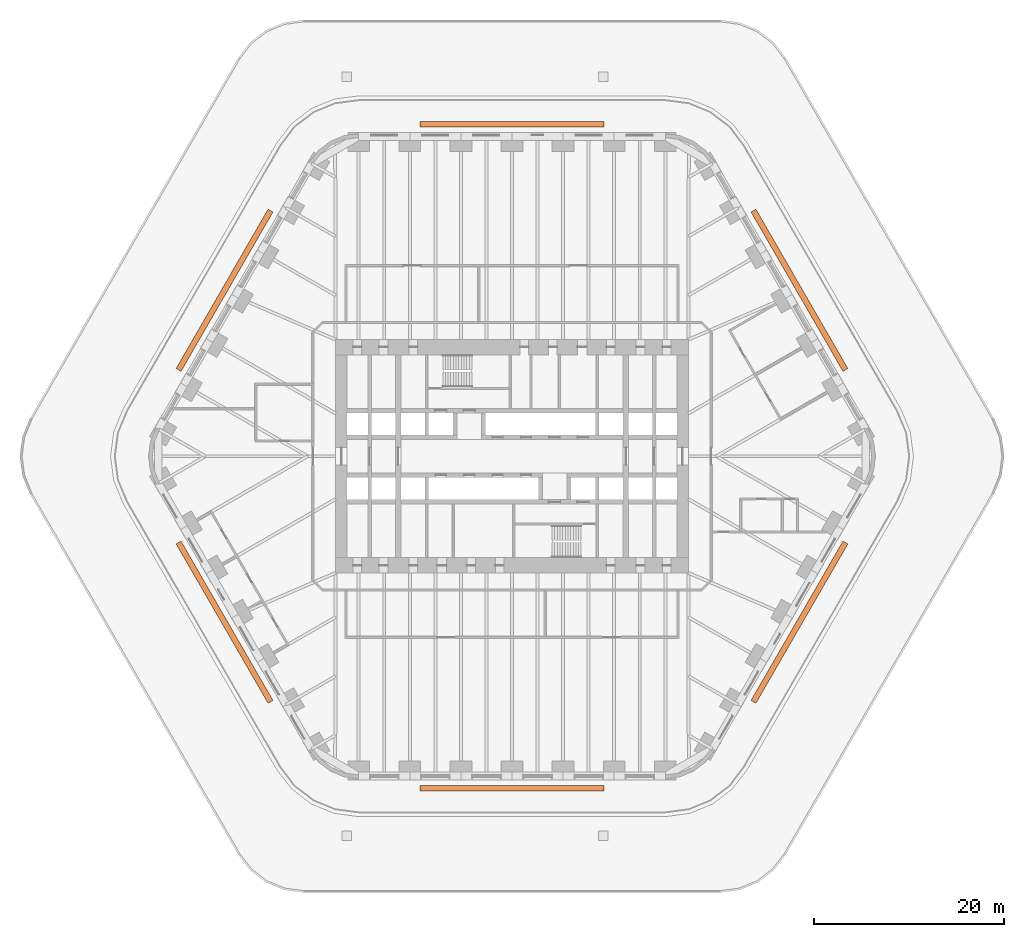
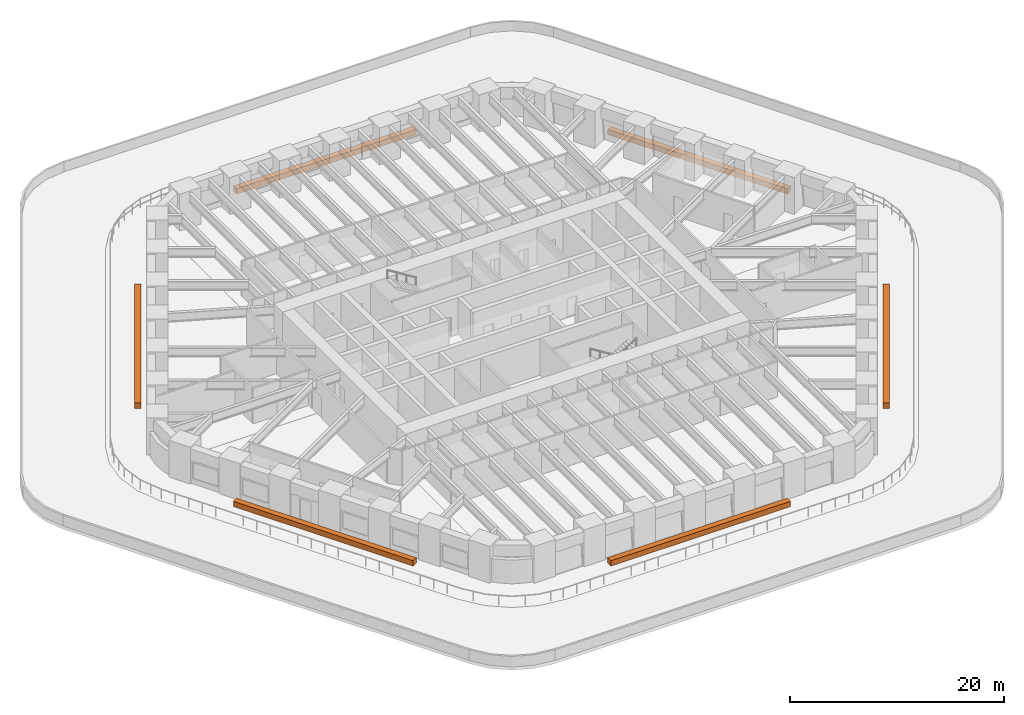
# One storey, part 17 of 17: 6 proxies.
"""IFC4 building model written with IfcOpenShell, lengths in metres."""

from ifc_helpers import new_model, si_unit, direction, frame, origin, origin_2d, place, context, subcontext, project, spatial, rectangle, extrude, material, element, save


model = new_model("IFC4")

# Units and contexts
model_context = context("Model", 3, precision=1e-05, world=origin(), true_north=direction((0.0, 1.0)))
body_context = subcontext(model_context, "Body", "Model", "MODEL_VIEW")
ifc_project = project(units=[si_unit("LENGTHUNIT", "METRE"), si_unit("AREAUNIT", "SQUARE_METRE"), si_unit("VOLUMEUNIT", "CUBIC_METRE"), si_unit("PLANEANGLEUNIT", "RADIAN"), si_unit("MASSUNIT", "GRAM", prefix="KILO")], contexts=[model_context])

# Site, building, storey
site_placement = place(None, origin())
site = spatial("IfcSite", under=ifc_project, at=site_placement, CompositionType="ELEMENT")
building_placement = place(site_placement, origin())
building = spatial("IfcBuilding", under=site, at=building_placement, Name="Tarfa Lantern Tower", CompositionType="ELEMENT")
storey_placement = place(building_placement, frame((0.0, 0.0, 23.5)))
storey = spatial("IfcBuildingStorey", under=building, at=storey_placement, Name="L04", CompositionType="ELEMENT", Elevation=23.5)

# Proxies
ifc_material = material(Name="Planting bed")
for number, where, z_axis, x_axis, name in (
    (1, (30.310791015625, 17.5, 0.0), (0.0, 0.0, 1.0), (-0.5, 0.866025403784, 0.0), "Sky garden planter"),
    (2, (0.0, 35.0, 0.0), (0.0, 0.0, 1.0), (-1.0, 0.0, 0.0), "Sky garden planter"),
    (3, (-30.310791015625, 17.5, 0.0), (0.0, 0.0, 1.0), (-0.5, -0.866025403784, 0.0), "Sky garden planter"),
    (4, (-30.310791015625, -17.5, 0.0), (0.0, 0.0, 1.0), (0.5, -0.866025403784, 0.0), "Sky garden planter"),
    (5, (0.0, -35.0, 0.0), (0.0, 0.0, 1.0), (1.0, 0.0, 0.0), "Sky garden planter"),
    (6, (30.310791015625, -17.5, 0.0), (0.0, 0.0, 1.0), (0.5, 0.866025403784, 0.0), "Sky garden planter"),
):
    element("IfcBuildingElementProxy", number, at=place(storey_placement, frame(where, z_axis=z_axis, x_axis=x_axis)), inside=storey, material=ifc_material, Name=name, ObjectType="PLANTER", PredefinedType="USERDEFINED", context=body_context, shape_type="SweptSolid", body=[
        extrude(rectangle(XDim=19.39892578125, YDim=0.60009765625, at=origin_2d()), origin(), (0.0, 0.0, 1.0), 0.60009765625),
    ])

save(model, "model.ifc")
